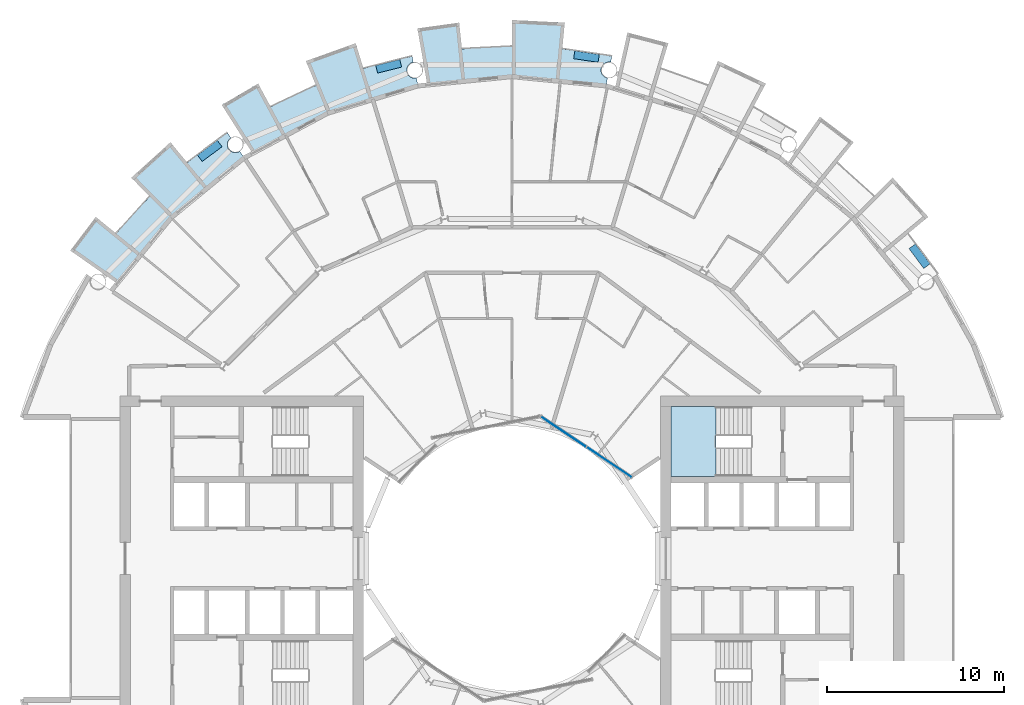
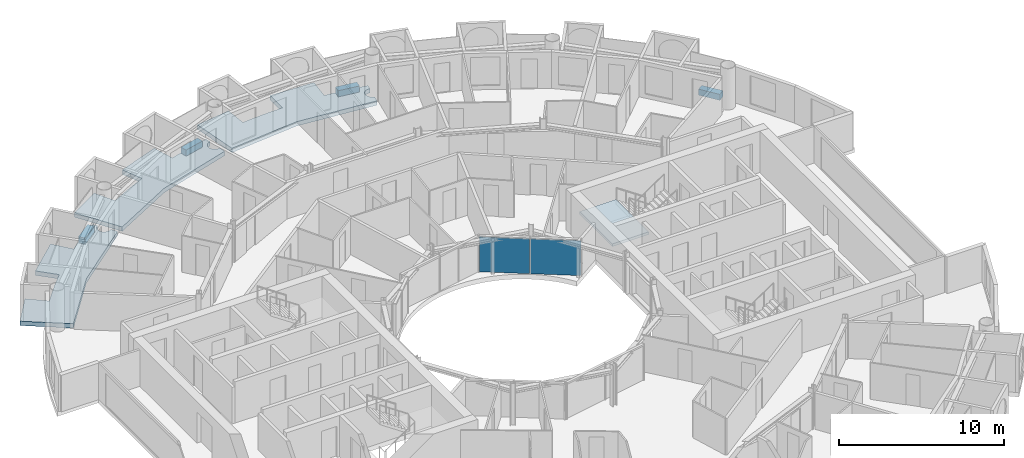
# One storey, part 12 of 27: 8 slabs, 2 plates, 2 elements without a shape of their own.
"""IFC4 building model written with IfcOpenShell, lengths in metres."""

from ifc_helpers import new_model, si_unit, direction, frame, origin, origin_2d, place, context, subcontext, project, spatial, polyline, rectangle, outline, extrude, material, layer, layer_set, type_object, element, aggregate, save


model = new_model("IFC4")

# Units and contexts
model_context = context("Model", 3, precision=1e-05, world=origin(), true_north=direction((0.0, 1.0)))
body_context = subcontext(model_context, "Body", "Model", "MODEL_VIEW")
ifc_project = project(units=[si_unit("LENGTHUNIT", "METRE"), si_unit("AREAUNIT", "SQUARE_METRE"), si_unit("VOLUMEUNIT", "CUBIC_METRE"), si_unit("PLANEANGLEUNIT", "RADIAN"), si_unit("MASSUNIT", "GRAM", prefix="KILO")], contexts=[model_context])

# Site, building, storey
site_placement = place(None, origin())
site = spatial("IfcSite", under=ifc_project, at=site_placement, CompositionType="ELEMENT")
building_placement = place(site_placement, origin())
building = spatial("IfcBuilding", under=site, at=building_placement, Name="Maasbend Ring Residences", CompositionType="ELEMENT")
storey_placement = place(building_placement, frame((0.0, 0.0, 120.800048828125)))
storey = spatial("IfcBuildingStorey", under=building, at=storey_placement, Name="L34", CompositionType="ELEMENT", Elevation=120.800048828125)

# Stair, slab
ifc_material_1 = material(Name="Concrete C40/50", Category="concrete")
stair_type = type_object("IfcStairType", Name="CORE STAIR 18 RISERS", PredefinedType="HALF_TURN_STAIR", material=ifc_material_1)
stair_placement = place(storey_placement, origin())
stair = element("IfcStair", 1, at=stair_placement, inside=storey, type_object=stair_type, Name="L34 Exit stair ST-E1", PredefinedType="HALF_TURN_STAIR")
ifc_material_2 = material(Name="Concrete C40/50", Category="concrete")
ifc_layer_1 = layer(ifc_material_2, 0.199951171875)
ifc_layer_set_1 = layer_set([ifc_layer_1], Name="Concrete C40/50")
slab_type_1 = type_object("IfcSlabType", Name="CORE STAIR LANDING 200", PredefinedType="LANDING", material=ifc_layer_set_1)
slab_1_placement = place(storey_placement, frame((0.0, 0.0, 1.324951171875)))
slab_1 = element("IfcSlab", 2, at=slab_1_placement, type_object=slab_type_1, Name="ST-E1 landing 1", PredefinedType="LANDING", context=body_context, shape_type="SweptSolid", body=[
    extrude(outline(polyline([(11.550048828125, 8.60009765625), (9.0, 8.60009765625), (9.0, 4.64990234375), (11.550048828125, 4.64990234375), (11.550048828125, 8.60009765625)])), origin(), (0.0, 0.0, 1.0), 0.199951171875),
])
aggregate(stair, [slab_1])

# Curtain wall, plates
ifc_material_3 = material(Name="Aluminium and clear glass", Category="aluminium")
ifc_layer_2 = layer(ifc_material_3, 0.179931640625)
ifc_layer_set_2 = layer_set([ifc_layer_2], Name="CW-W")
curtain_wall_type = type_object("IfcCurtainWallType", Name="CW-W", PredefinedType="NOTDEFINED", material=ifc_layer_set_2)
curtain_wall_placement = place(storey_placement, origin())
curtain_wall = element("IfcCurtainWall", 3, at=curtain_wall_placement, inside=storey, type_object=curtain_wall_type, Name="Well curtain wall N1", PredefinedType="NOTDEFINED")
ifc_material_4 = material(Name="Glass clear laminated", Category="glass")
ifc_layer_3 = layer(ifc_material_4, 0.031982421875)
ifc_layer_set_3 = layer_set([ifc_layer_3], Name="CWP-W")
plate_type = type_object("IfcPlateType", Name="CWP-W", PredefinedType="CURTAIN_PANEL", material=ifc_layer_set_3)
plate_1_placement = place(storey_placement, frame((5.51123046875, 5.44580078125, 0.0), z_axis=(0.0, 0.0, 1.0), x_axis=(-0.831469612303, 0.55557023302, 0.0)))
plate_1 = element("IfcPlate", 4, at=plate_1_placement, type_object=plate_type, Name="Glass panel well face", PredefinedType="CURTAIN_PANEL", context=body_context, shape_type="SweptSolid", body=[
    extrude(rectangle(XDim=3.053955078125, YDim=0.031982421875, at=origin_2d()), origin(), (0.0, 0.0, 1.0), 2.580078125),
])
plate_2_placement = place(storey_placement, frame((2.922119140625, 7.17578125, 0.0), z_axis=(0.0, 0.0, 1.0), x_axis=(-0.831469612303, 0.55557023302, 0.0)))
plate_2 = element("IfcPlate", 5, at=plate_2_placement, type_object=plate_type, Name="Glass panel well face", PredefinedType="CURTAIN_PANEL", context=body_context, shape_type="SweptSolid", body=[
    extrude(rectangle(XDim=3.053955078125, YDim=0.031982421875, at=origin_2d()), origin(), (0.0, 0.0, 1.0), 2.580078125),
])
aggregate(curtain_wall, [plate_1, plate_2])

# Slabs
ifc_material_5 = material(Name="Planting with climbing greenery")
ifc_layer_4 = layer(ifc_material_5, 0.449951171875)
ifc_layer_set_4 = layer_set([ifc_layer_4], Name="PLANTER-LG")
slab_type_2 = type_object("IfcSlabType", Name="PLANTER-LG", PredefinedType="USERDEFINED", material=ifc_layer_set_4)
slab_2_placement = place(storey_placement, frame((0.0, 0.0, -0.030029296875)))
element("IfcSlab", 6, at=slab_2_placement, inside=storey, type_object=slab_type_2, Name="Planter with climbing greenery 1", ObjectType="PLANTER", PredefinedType="USERDEFINED", context=body_context, shape_type="SweptSolid", body=[
    extrude(outline(polyline([(23.681884765625, 16.69189453125), (22.847900390625, 17.81689453125), (22.487060546875, 17.549072265625), (23.321044921875, 16.424072265625), (23.681884765625, 16.69189453125)])), origin(), (0.0, 0.0, 1.0), 0.449951171875),
])
slab_3_placement = place(storey_placement, frame((0.0, 0.0, -0.030029296875)))
element("IfcSlab", 7, at=slab_3_placement, inside=storey, type_object=slab_type_2, Name="Planter with climbing greenery 3", ObjectType="PLANTER", PredefinedType="USERDEFINED", context=body_context, shape_type="SweptSolid", body=[
    extrude(outline(polyline([(4.94189453125, 28.549072265625), (3.55810546875, 28.75390625), (3.491943359375, 28.30908203125), (4.8759765625, 28.10400390625), (4.94189453125, 28.549072265625)])), origin(), (0.0, 0.0, 1.0), 0.449951171875),
])
slab_4_placement = place(storey_placement, frame((0.0, 0.0, -0.030029296875)))
element("IfcSlab", 8, at=slab_4_placement, inside=storey, type_object=slab_type_2, Name="Planter with climbing greenery 4", ObjectType="PLANTER", PredefinedType="USERDEFINED", context=body_context, shape_type="SweptSolid", body=[
    extrude(outline(polyline([(-6.35888671875, 28.26708984375), (-7.717041015625, 27.927001953125), (-7.60791015625, 27.489990234375), (-6.25, 27.8310546875), (-6.35888671875, 28.26708984375)])), origin(), (0.0, 0.0, 1.0), 0.449951171875),
])
slab_5_placement = place(storey_placement, frame((0.0, 0.0, -0.030029296875)))
element("IfcSlab", 9, at=slab_5_placement, inside=storey, type_object=slab_type_2, Name="Planter with climbing greenery 5", ObjectType="PLANTER", PredefinedType="USERDEFINED", context=body_context, shape_type="SweptSolid", body=[
    extrude(outline(polyline([(-16.69189453125, 23.681884765625), (-17.81689453125, 22.847900390625), (-17.549072265625, 22.487060546875), (-16.424072265625, 23.321044921875), (-16.69189453125, 23.681884765625)])), origin(), (0.0, 0.0, 1.0), 0.449951171875),
])
ifc_material_6 = material(Name="Concrete C40/50", Category="concrete")
ifc_layer_5 = layer(ifc_material_6, 0.199951171875)
ifc_layer_set_5 = layer_set([ifc_layer_5], Name="Concrete C40/50")
slab_type_3 = type_object("IfcSlabType", Name="SL-LOGGIA", PredefinedType="FLOOR", material=ifc_layer_set_5)
slab_6_placement = place(storey_placement, frame((0.0, 0.0, -0.35009765625)))
element("IfcSlab", 10, at=slab_6_placement, inside=storey, type_object=slab_type_3, Name="Loggia floor 2", PredefinedType="FLOOR", context=body_context, shape_type="SweptSolid", body=[
    extrude(outline(polyline([(-13.6708984375, 25.575927734375), (-13.6708984375, 25.575927734375), (-13.6708984375, 25.575927734375), (-13.6708984375, 25.575927734375), (-13.6708984375, 25.575927734375), (-13.6708984375, 25.575927734375), (-13.6708984375, 25.575927734375), (-13.669921875, 25.575927734375), (-13.669921875, 25.575927734375), (-13.669921875, 25.575927734375), (-13.669921875, 25.575927734375), (-13.669921875, 25.575927734375), (-13.669921875, 25.575927734375), (-13.669921875, 25.575927734375), (-13.669921875, 25.575927734375), (-13.669921875, 25.575927734375), (-13.669921875, 25.575927734375), (-12.825927734375, 26.009033203125), (-12.825927734375, 26.009033203125), (-11.968994140625, 26.4150390625), (-11.968994140625, 26.4150390625), (-11.097900390625, 26.7919921875), (-11.097900390625, 26.7919921875), (-11.097900390625, 26.7919921875), (-11.097900390625, 26.7919921875), (-11.097900390625, 26.7919921875), (-11.097900390625, 26.7919921875), (-11.097900390625, 26.7919921875), (-11.097900390625, 26.79296875), (-11.097900390625, 26.79296875), (-11.097900390625, 26.79296875), (-11.097900390625, 26.79296875), (-11.097900390625, 26.79296875), (-11.097900390625, 26.79296875), (-11.097900390625, 26.79296875), (-11.097900390625, 26.79296875), (-11.097900390625, 26.79296875), (-11.097900390625, 26.79296875), (-11.672119140625, 28.177978515625), (-11.672119140625, 28.177978515625), (-11.672119140625, 28.177978515625), (-8.85400390625, 29.18701171875), (-8.85400390625, 29.18701171875), (-8.85400390625, 29.18701171875), (-8.41796875, 27.751953125), (-8.41796875, 27.751953125), (-8.41796875, 27.751953125), (-8.41796875, 27.751953125), (-8.41796875, 27.751953125), (-8.41796875, 27.751953125), (-8.41796875, 27.751953125), (-8.41796875, 27.7509765625), (-8.41796875, 27.7509765625), (-8.41796875, 27.7509765625), (-8.41796875, 27.7509765625), (-8.41796875, 27.7509765625), (-8.41796875, 27.7509765625), (-8.41796875, 27.7509765625), (-8.41796875, 27.7509765625), (-8.41796875, 27.7509765625), (-8.41796875, 27.7509765625), (-7.506103515625, 28.011962890625), (-7.506103515625, 28.011962890625), (-6.5849609375, 28.241943359375), (-6.5849609375, 28.241943359375), (-5.657958984375, 28.443115234375), (-5.657958984375, 28.443115234375), (-5.657958984375, 28.443115234375), (-5.591064453125, 28.10595703125), (-5.60205078125, 28.10400390625), (-5.613037109375, 28.10107421875), (-5.623046875, 28.09912109375), (-5.634033203125, 28.094970703125), (-5.64501953125, 28.092041015625), (-5.655029296875, 28.087890625), (-5.666015625, 28.083984375), (-5.676025390625, 28.080078125), (-5.68701171875, 28.075927734375), (-5.697021484375, 28.071044921875), (-5.70703125, 28.06591796875), (-5.717041015625, 28.06103515625), (-5.72705078125, 28.055908203125), (-5.736083984375, 28.050048828125), (-5.74609375, 28.0439453125), (-5.7548828125, 28.0380859375), (-5.764892578125, 28.031982421875), (-5.77392578125, 28.02490234375), (-5.782958984375, 28.01806640625), (-5.791015625, 28.010986328125), (-5.800048828125, 28.00390625), (-5.80810546875, 27.9970703125), (-5.81689453125, 27.989013671875), (-5.824951171875, 27.98095703125), (-5.83203125, 27.972900390625), (-5.840087890625, 27.965087890625), (-5.847900390625, 27.95703125), (-5.85498046875, 27.947998046875), (-5.862060546875, 27.93896484375), (-5.868896484375, 27.929931640625), (-5.875, 27.9208984375), (-5.881103515625, 27.912109375), (-5.887939453125, 27.903076171875), (-5.89306640625, 27.89306640625), (-5.89892578125, 27.883056640625), (-5.905029296875, 27.8740234375), (-5.909912109375, 27.864013671875), (-5.9150390625, 27.85302734375), (-5.9189453125, 27.843017578125), (-5.924072265625, 27.8330078125), (-5.927978515625, 27.822998046875), (-5.931884765625, 27.81201171875), (-5.93505859375, 27.801025390625), (-5.93896484375, 27.791015625), (-5.94189453125, 27.780029296875), (-5.945068359375, 27.76904296875), (-5.947021484375, 27.758056640625), (-5.949951171875, 27.7470703125), (-5.951904296875, 27.736083984375), (-5.9541015625, 27.72509765625), (-5.955078125, 27.714111328125), (-5.9560546875, 27.702880859375), (-5.95703125, 27.69189453125), (-5.9580078125, 27.680908203125), (-5.9580078125, 27.6689453125), (-5.9580078125, 27.657958984375), (-5.9580078125, 27.64697265625), (-5.9580078125, 27.635986328125), (-5.95703125, 27.6240234375), (-5.9560546875, 27.613037109375), (-5.955078125, 27.60205078125), (-5.9541015625, 27.591064453125), (-5.951904296875, 27.580078125), (-5.949951171875, 27.569091796875), (-5.947021484375, 27.55810546875), (-5.945068359375, 27.547119140625), (-5.94189453125, 27.535888671875), (-5.93896484375, 27.52490234375), (-5.93505859375, 27.514892578125), (-5.931884765625, 27.50390625), (-5.927978515625, 27.493896484375), (-5.924072265625, 27.48291015625), (-5.9189453125, 27.472900390625), (-5.9150390625, 27.462890625), (-5.909912109375, 27.452880859375), (-5.905029296875, 27.443115234375), (-5.89892578125, 27.43310546875), (-5.89306640625, 27.423095703125), (-5.887939453125, 27.4140625), (-5.881103515625, 27.404052734375), (-5.875, 27.39501953125), (-5.868896484375, 27.385986328125), (-5.862060546875, 27.376953125), (-5.85498046875, 27.367919921875), (-5.847900390625, 27.360107421875), (-5.840087890625, 27.35107421875), (-5.83203125, 27.343017578125), (-5.824951171875, 27.3349609375), (-5.81689453125, 27.326904296875), (-5.80810546875, 27.319091796875), (-5.800048828125, 27.31201171875), (-5.791015625, 27.304931640625), (-5.782958984375, 27.298095703125), (-5.77392578125, 27.291015625), (-5.764892578125, 27.283935546875), (-5.7548828125, 27.278076171875), (-5.74609375, 27.27197265625), (-5.736083984375, 27.26611328125), (-5.72705078125, 27.260009765625), (-5.717041015625, 27.2548828125), (-5.70703125, 27.25), (-5.697021484375, 27.2451171875), (-5.68701171875, 27.239990234375), (-5.676025390625, 27.236083984375), (-5.666015625, 27.23193359375), (-5.655029296875, 27.22802734375), (-5.64501953125, 27.22412109375), (-5.634033203125, 27.220947265625), (-5.623046875, 27.218017578125), (-5.613037109375, 27.215087890625), (-5.60205078125, 27.2119140625), (-5.591064453125, 27.2099609375), (-5.580078125, 27.2080078125), (-5.569091796875, 27.2060546875), (-5.556884765625, 27.205078125), (-5.5458984375, 27.202880859375), (-5.534912109375, 27.201904296875), (-5.52392578125, 27.201904296875), (-5.512939453125, 27.200927734375), (-5.501953125, 27.200927734375), (-5.489990234375, 27.200927734375), (-5.47900390625, 27.201904296875), (-5.468017578125, 27.201904296875), (-5.45703125, 27.202880859375), (-5.446044921875, 27.205078125), (-5.43408203125, 27.2060546875), (-5.423095703125, 27.2080078125), (-5.412109375, 27.2099609375), (-5.325927734375, 26.77490234375), (-5.325927734375, 26.77490234375), (-5.325927734375, 26.77490234375), (-7.886962890625, 25.9990234375), (-10.447021484375, 25.221923828125), (-10.447021484375, 25.221923828125), (-10.447021484375, 25.221923828125), (-12.806884765625, 23.9609375), (-14.68994140625, 22.9541015625), (-14.68994140625, 22.9541015625), (-14.68994140625, 22.9541015625), (-16.44091796875, 25.68994140625), (-16.44091796875, 25.68994140625), (-16.44091796875, 25.68994140625), (-14.3779296875, 26.89892578125), (-14.3779296875, 26.89892578125), (-14.3779296875, 26.89892578125), (-13.6708984375, 25.575927734375)])), origin(), (0.0, 0.0, 1.0), 0.320068359375),
])
slab_7_placement = place(storey_placement, frame((0.0, 0.0, -0.35009765625)))
element("IfcSlab", 11, at=slab_7_placement, inside=storey, type_object=slab_type_3, Name="Loggia floor 3", PredefinedType="FLOOR", context=body_context, shape_type="SweptSolid", body=[
    extrude(outline(polyline([(-2.843017578125, 28.861083984375), (-2.843017578125, 28.861083984375), (-2.843017578125, 28.861083984375), (-2.843017578125, 28.861083984375), (-2.842041015625, 28.861083984375), (-2.842041015625, 28.861083984375), (-2.842041015625, 28.861083984375), (-2.842041015625, 28.861083984375), (-2.842041015625, 28.861083984375), (-2.842041015625, 28.860107421875), (-2.842041015625, 28.860107421875), (-2.842041015625, 28.860107421875), (-2.842041015625, 28.860107421875), (-2.842041015625, 28.860107421875), (-2.842041015625, 28.860107421875), (-2.842041015625, 28.860107421875), (-2.842041015625, 28.860107421875), (-1.89697265625, 28.93798828125), (-1.89697265625, 28.93798828125), (-0.948974609375, 28.98388671875), (-0.948974609375, 28.98388671875), (0.0, 29.0), (0.0, 29.0), (0.0, 29.0), (0.0, 29.0), (0.0, 29.0), (0.0, 29.0), (0.0, 29.0), (0.0, 29.0), (0.0, 29.0), (0.0, 29.0), (0.0, 29.0), (0.0, 29.0), (0.0, 29.0), (0.0, 29.0), (0.0, 29.0), (0.0, 29.0), (0.0, 29.0), (0.0, 30.5), (0.0, 30.5), (0.0, 30.5), (2.989990234375, 30.35302734375), (2.989990234375, 30.35302734375), (2.989990234375, 30.35302734375), (2.843017578125, 28.861083984375), (2.843017578125, 28.861083984375), (2.843017578125, 28.861083984375), (2.843017578125, 28.861083984375), (2.843017578125, 28.861083984375), (2.843017578125, 28.861083984375), (2.843017578125, 28.861083984375), (2.843017578125, 28.861083984375), (2.843017578125, 28.860107421875), (2.843017578125, 28.860107421875), (2.843017578125, 28.860107421875), (2.843017578125, 28.860107421875), (2.843017578125, 28.860107421875), (2.843017578125, 28.860107421875), (2.843017578125, 28.860107421875), (2.843017578125, 28.860107421875), (2.843017578125, 28.860107421875), (3.784912109375, 28.751953125), (3.784912109375, 28.751953125), (4.72412109375, 28.613037109375), (4.72412109375, 28.613037109375), (5.657958984375, 28.443115234375), (5.657958984375, 28.443115234375), (5.657958984375, 28.443115234375), (5.591064453125, 28.10595703125), (5.591064453125, 28.10595703125), (5.580078125, 28.10791015625), (5.569091796875, 28.110107421875), (5.556884765625, 28.112060546875), (5.5458984375, 28.113037109375), (5.534912109375, 28.114013671875), (5.52392578125, 28.114990234375), (5.512939453125, 28.114990234375), (5.501953125, 28.114990234375), (5.489990234375, 28.114990234375), (5.47900390625, 28.114990234375), (5.468017578125, 28.114013671875), (5.45703125, 28.113037109375), (5.446044921875, 28.112060546875), (5.43408203125, 28.110107421875), (5.423095703125, 28.10791015625), (5.412109375, 28.10595703125), (5.40087890625, 28.10400390625), (5.389892578125, 28.10107421875), (5.3798828125, 28.09912109375), (5.368896484375, 28.094970703125), (5.35791015625, 28.092041015625), (5.347900390625, 28.087890625), (5.3369140625, 28.083984375), (5.326904296875, 28.080078125), (5.31591796875, 28.075927734375), (5.305908203125, 28.071044921875), (5.2958984375, 28.06591796875), (5.285888671875, 28.06103515625), (5.27587890625, 28.055908203125), (5.26708984375, 28.050048828125), (5.257080078125, 28.0439453125), (5.248046875, 28.0380859375), (5.238037109375, 28.031982421875), (5.22900390625, 28.02490234375), (5.219970703125, 28.01806640625), (5.2119140625, 28.010986328125), (5.202880859375, 28.00390625), (5.195068359375, 27.9970703125), (5.18603515625, 27.989013671875), (5.177978515625, 27.98095703125), (5.1708984375, 27.972900390625), (5.1630859375, 27.965087890625), (5.155029296875, 27.95703125), (5.14794921875, 27.947998046875), (5.14111328125, 27.93896484375), (5.134033203125, 27.929931640625), (5.1279296875, 27.9208984375), (5.1220703125, 27.912109375), (5.114990234375, 27.903076171875), (5.110107421875, 27.89306640625), (5.10400390625, 27.883056640625), (5.097900390625, 27.8740234375), (5.093017578125, 27.864013671875), (5.087890625, 27.85302734375), (5.083984375, 27.843017578125), (5.0791015625, 27.8330078125), (5.074951171875, 27.822998046875), (5.071044921875, 27.81201171875), (5.068115234375, 27.801025390625), (5.06396484375, 27.791015625), (5.06103515625, 27.780029296875), (5.05810546875, 27.76904296875), (5.055908203125, 27.758056640625), (5.052978515625, 27.7470703125), (5.051025390625, 27.736083984375), (5.049072265625, 27.72509765625), (5.048095703125, 27.714111328125), (5.047119140625, 27.702880859375), (5.0458984375, 27.69189453125), (5.044921875, 27.680908203125), (5.044921875, 27.6689453125), (5.044921875, 27.657958984375), (5.044921875, 27.64697265625), (5.044921875, 27.635986328125), (5.0458984375, 27.6240234375), (5.047119140625, 27.613037109375), (5.048095703125, 27.60205078125), (5.049072265625, 27.591064453125), (5.051025390625, 27.580078125), (5.052978515625, 27.569091796875), (5.055908203125, 27.55810546875), (5.05810546875, 27.547119140625), (5.06103515625, 27.535888671875), (5.06396484375, 27.52490234375), (5.068115234375, 27.514892578125), (5.071044921875, 27.50390625), (5.074951171875, 27.493896484375), (5.0791015625, 27.48291015625), (5.083984375, 27.472900390625), (5.087890625, 27.462890625), (5.093017578125, 27.452880859375), (5.097900390625, 27.443115234375), (5.10400390625, 27.43310546875), (5.110107421875, 27.423095703125), (5.114990234375, 27.4140625), (5.1220703125, 27.404052734375), (5.1279296875, 27.39501953125), (5.134033203125, 27.385986328125), (5.14111328125, 27.376953125), (5.14794921875, 27.367919921875), (5.155029296875, 27.360107421875), (5.1630859375, 27.35107421875), (5.1708984375, 27.343017578125), (5.177978515625, 27.3349609375), (5.18603515625, 27.326904296875), (5.195068359375, 27.319091796875), (5.202880859375, 27.31201171875), (5.2119140625, 27.304931640625), (5.219970703125, 27.298095703125), (5.22900390625, 27.291015625), (5.238037109375, 27.283935546875), (5.248046875, 27.278076171875), (5.257080078125, 27.27197265625), (5.26708984375, 27.26611328125), (5.27587890625, 27.260009765625), (5.285888671875, 27.2548828125), (5.2958984375, 27.25), (5.305908203125, 27.2451171875), (5.31591796875, 27.239990234375), (5.326904296875, 27.236083984375), (5.3369140625, 27.23193359375), (5.347900390625, 27.22802734375), (5.35791015625, 27.22412109375), (5.368896484375, 27.220947265625), (5.3798828125, 27.218017578125), (5.389892578125, 27.215087890625), (5.40087890625, 27.2119140625), (5.412109375, 27.2099609375), (5.412109375, 27.2099609375), (5.325927734375, 26.77490234375), (5.325927734375, 26.77490234375), (5.325927734375, 26.77490234375), (2.6630859375, 27.0380859375), (0.0, 27.300048828125), (0.0, 27.300048828125), (0.0, 27.300048828125), (-2.6630859375, 27.0380859375), (-4.7880859375, 26.827880859375), (-4.7880859375, 26.827880859375), (-4.7880859375, 26.827880859375), (-5.35791015625, 30.02587890625), (-5.35791015625, 30.02587890625), (-5.35791015625, 30.02587890625), (-2.989990234375, 30.35302734375), (-2.989990234375, 30.35302734375), (-2.989990234375, 30.35302734375), (-2.843017578125, 28.861083984375)])), origin(), (0.0, 0.0, 1.0), 0.320068359375),
])
slab_8_placement = place(storey_placement, frame((0.0, 0.0, -0.35009765625)))
element("IfcSlab", 12, at=slab_8_placement, inside=storey, type_object=slab_type_3, Name="Loggia floor 5", PredefinedType="FLOOR", context=body_context, shape_type="SweptSolid", body=[
    extrude(outline(polyline([(-22.41796875, 18.39794921875), (-22.41796875, 18.39794921875), (-22.41796875, 18.39794921875), (-22.41796875, 18.39794921875), (-22.41796875, 18.39794921875), (-22.4169921875, 18.39794921875), (-22.4169921875, 18.39794921875), (-22.4169921875, 18.39794921875), (-22.4169921875, 18.39794921875), (-22.4169921875, 18.39794921875), (-22.4169921875, 18.39794921875), (-22.4169921875, 18.39794921875), (-22.4169921875, 18.39794921875), (-22.4169921875, 18.39794921875), (-22.4169921875, 18.39794921875), (-22.4169921875, 18.39794921875), (-22.4169921875, 18.39794921875), (-21.802978515625, 19.12109375), (-21.802978515625, 19.12109375), (-21.166015625, 19.823974609375), (-21.166015625, 19.823974609375), (-20.506103515625, 20.506103515625), (-20.506103515625, 20.506103515625), (-20.506103515625, 20.506103515625), (-20.506103515625, 20.506103515625), (-20.506103515625, 20.506103515625), (-20.506103515625, 20.506103515625), (-20.506103515625, 20.506103515625), (-20.506103515625, 20.506103515625), (-20.506103515625, 20.506103515625), (-20.506103515625, 20.506103515625), (-20.506103515625, 20.506103515625), (-20.506103515625, 20.506103515625), (-20.506103515625, 20.506103515625), (-20.506103515625, 20.506103515625), (-20.506103515625, 20.506103515625), (-20.506103515625, 20.506103515625), (-20.506103515625, 20.506103515625), (-21.56689453125, 21.56689453125), (-21.56689453125, 21.56689453125), (-21.56689453125, 21.56689453125), (-19.34912109375, 23.576904296875), (-19.34912109375, 23.576904296875), (-19.34912109375, 23.576904296875), (-18.39794921875, 22.41796875), (-18.39794921875, 22.41796875), (-18.39794921875, 22.41796875), (-18.39794921875, 22.41796875), (-18.39794921875, 22.41796875), (-18.39794921875, 22.41796875), (-18.39697265625, 22.41796875), (-18.39697265625, 22.41796875), (-18.39697265625, 22.41796875), (-18.39697265625, 22.41796875), (-18.39697265625, 22.41796875), (-18.39697265625, 22.41796875), (-18.39697265625, 22.41796875), (-18.39697265625, 22.41796875), (-18.39697265625, 22.41796875), (-18.39697265625, 22.41796875), (-18.39697265625, 22.41796875), (-17.654052734375, 23.007080078125), (-17.654052734375, 23.007080078125), (-16.89208984375, 23.572998046875), (-16.89208984375, 23.572998046875), (-16.112060546875, 24.113037109375), (-16.112060546875, 24.113037109375), (-16.112060546875, 24.113037109375), (-15.9208984375, 23.826904296875), (-15.9208984375, 23.826904296875), (-15.929931640625, 23.821044921875), (-15.93896484375, 23.81396484375), (-15.947998046875, 23.80810546875), (-15.95703125, 23.801025390625), (-15.966064453125, 23.79296875), (-15.97412109375, 23.785888671875), (-15.98193359375, 23.778076171875), (-15.989990234375, 23.77099609375), (-15.998046875, 23.762939453125), (-16.006103515625, 23.75390625), (-16.012939453125, 23.74609375), (-16.02001953125, 23.737060546875), (-16.027099609375, 23.72900390625), (-16.033935546875, 23.719970703125), (-16.041015625, 23.7109375), (-16.047119140625, 23.700927734375), (-16.052978515625, 23.69189453125), (-16.05908203125, 23.681884765625), (-16.06494140625, 23.673095703125), (-16.070068359375, 23.6630859375), (-16.074951171875, 23.653076171875), (-16.080078125, 23.64306640625), (-16.0849609375, 23.633056640625), (-16.089111328125, 23.6220703125), (-16.093017578125, 23.612060546875), (-16.096923828125, 23.60107421875), (-16.10107421875, 23.591064453125), (-16.10400390625, 23.580078125), (-16.10791015625, 23.569091796875), (-16.110107421875, 23.55810546875), (-16.113037109375, 23.548095703125), (-16.114990234375, 23.537109375), (-16.116943359375, 23.52587890625), (-16.118896484375, 23.513916015625), (-16.12109375, 23.5029296875), (-16.1220703125, 23.491943359375), (-16.123046875, 23.48095703125), (-16.1240234375, 23.469970703125), (-16.1240234375, 23.458984375), (-16.1240234375, 23.447021484375), (-16.1240234375, 23.43603515625), (-16.1240234375, 23.425048828125), (-16.123046875, 23.4140625), (-16.1220703125, 23.403076171875), (-16.12109375, 23.39111328125), (-16.118896484375, 23.3798828125), (-16.116943359375, 23.368896484375), (-16.114990234375, 23.35791015625), (-16.113037109375, 23.346923828125), (-16.110107421875, 23.3359375), (-16.10791015625, 23.325927734375), (-16.10400390625, 23.31494140625), (-16.10107421875, 23.303955078125), (-16.096923828125, 23.29296875), (-16.093017578125, 23.282958984375), (-16.089111328125, 23.27294921875), (-16.0849609375, 23.261962890625), (-16.080078125, 23.251953125), (-16.074951171875, 23.241943359375), (-16.070068359375, 23.23193359375), (-16.06494140625, 23.221923828125), (-16.05908203125, 23.2119140625), (-16.052978515625, 23.202880859375), (-16.047119140625, 23.194091796875), (-16.041015625, 23.18408203125), (-16.033935546875, 23.175048828125), (-16.027099609375, 23.166015625), (-16.02001953125, 23.156982421875), (-16.012939453125, 23.14892578125), (-16.006103515625, 23.139892578125), (-15.998046875, 23.132080078125), (-15.989990234375, 23.1240234375), (-15.98193359375, 23.115966796875), (-15.97412109375, 23.10888671875), (-15.966064453125, 23.10107421875), (-15.95703125, 23.093994140625), (-15.947998046875, 23.0869140625), (-15.93896484375, 23.080078125), (-15.929931640625, 23.073974609375), (-15.9208984375, 23.06689453125), (-15.912109375, 23.06103515625), (-15.902099609375, 23.054931640625), (-15.89208984375, 23.050048828125), (-15.883056640625, 23.0439453125), (-15.873046875, 23.0390625), (-15.862060546875, 23.033935546875), (-15.85205078125, 23.030029296875), (-15.842041015625, 23.02490234375), (-15.83203125, 23.02099609375), (-15.821044921875, 23.01708984375), (-15.81005859375, 23.012939453125), (-15.800048828125, 23.010009765625), (-15.7890625, 23.007080078125), (-15.778076171875, 23.00390625), (-15.76708984375, 23.001953125), (-15.756103515625, 22.9990234375), (-15.7451171875, 22.9970703125), (-15.73388671875, 22.9951171875), (-15.722900390625, 22.993896484375), (-15.7119140625, 22.992919921875), (-15.700927734375, 22.991943359375), (-15.68994140625, 22.990966796875), (-15.677978515625, 22.990966796875), (-15.6669921875, 22.989990234375), (-15.656005859375, 22.990966796875), (-15.64501953125, 22.990966796875), (-15.633056640625, 22.991943359375), (-15.6220703125, 22.992919921875), (-15.611083984375, 22.993896484375), (-15.60009765625, 22.9951171875), (-15.589111328125, 22.9970703125), (-15.577880859375, 22.9990234375), (-15.56689453125, 23.001953125), (-15.555908203125, 23.00390625), (-15.544921875, 23.007080078125), (-15.533935546875, 23.010009765625), (-15.52392578125, 23.012939453125), (-15.512939453125, 23.01708984375), (-15.5029296875, 23.02099609375), (-15.491943359375, 23.02490234375), (-15.48193359375, 23.030029296875), (-15.471923828125, 23.033935546875), (-15.4619140625, 23.0390625), (-15.451904296875, 23.0439453125), (-15.44189453125, 23.050048828125), (-15.431884765625, 23.054931640625), (-15.423095703125, 23.06103515625), (-15.4130859375, 23.06689453125), (-15.4130859375, 23.06689453125), (-15.1669921875, 22.698974609375), (-15.1669921875, 22.698974609375), (-15.1669921875, 22.698974609375), (-17.236083984375, 21.001953125), (-19.303955078125, 19.303955078125), (-19.303955078125, 19.303955078125), (-19.303955078125, 19.303955078125), (-21.001953125, 17.236083984375), (-22.35595703125, 15.5849609375), (-22.35595703125, 15.5849609375), (-22.35595703125, 15.5849609375), (-25.02001953125, 17.44189453125), (-25.02001953125, 17.44189453125), (-25.02001953125, 17.44189453125), (-23.576904296875, 19.34912109375), (-23.576904296875, 19.34912109375), (-23.576904296875, 19.34912109375), (-22.41796875, 18.39794921875)])), origin(), (0.0, 0.0, 1.0), 0.320068359375),
])

save(model, "model.ifc")
